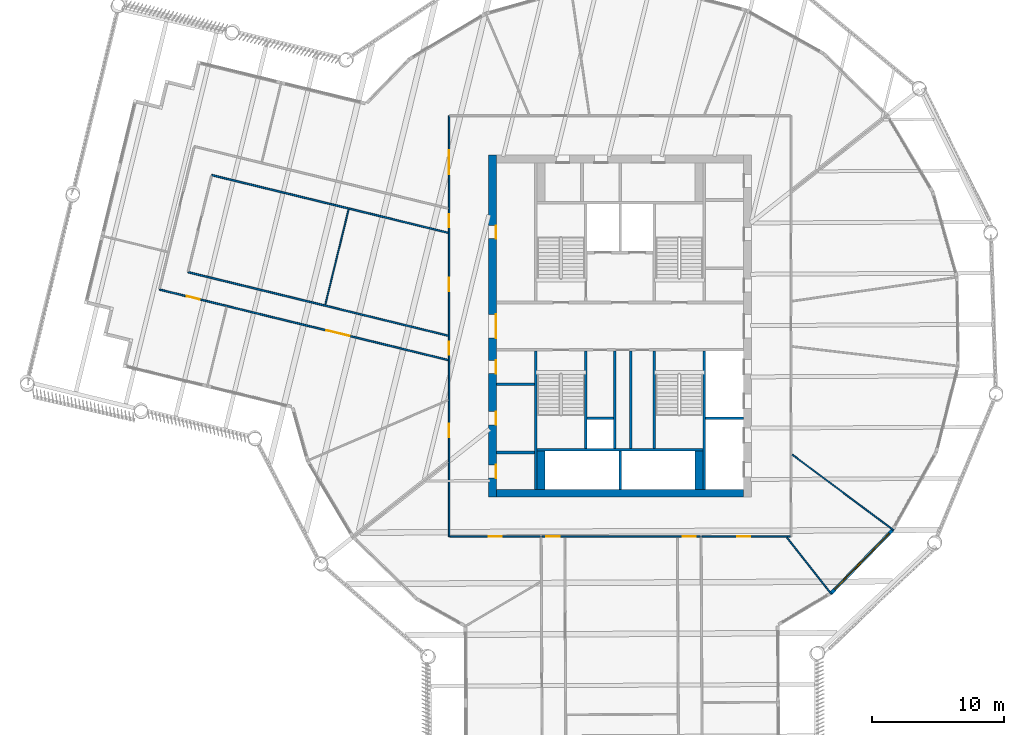
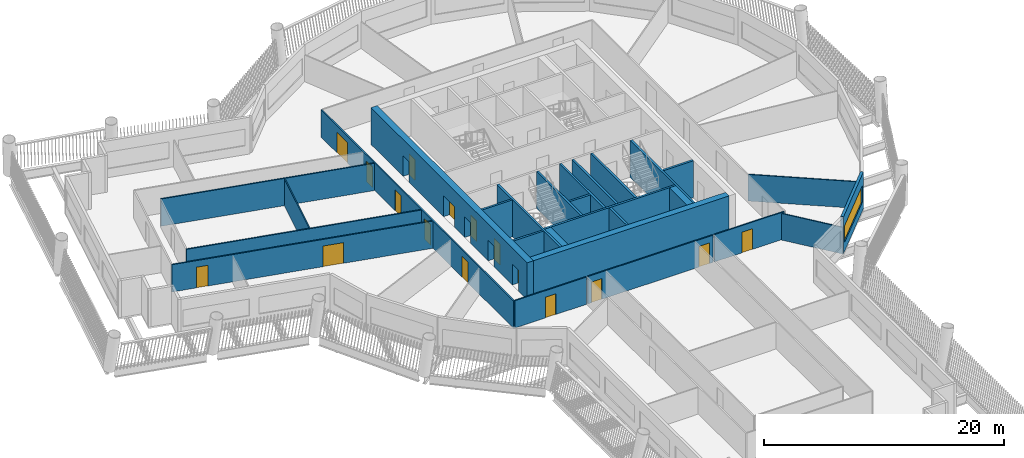
# One storey, part 4 of 15: 27 walls, 16 doors, 1 window, 17 openings.
"""IFC4 building model written with IfcOpenShell, lengths in metres."""

from ifc_helpers import new_model, si_unit, direction, frame, frame_2d, origin, place, context, subcontext, project, spatial, rectangle, extrude, material, layer, layer_set, type_object, element, fill, save


model = new_model("IFC4")

# Units and contexts
model_context = context("Model", 3, precision=1e-05, world=origin(), true_north=direction((0.0, 1.0)))
body_context = subcontext(model_context, "Body", "Model", "MODEL_VIEW")
ifc_project = project(units=[si_unit("LENGTHUNIT", "METRE"), si_unit("AREAUNIT", "SQUARE_METRE"), si_unit("VOLUMEUNIT", "CUBIC_METRE"), si_unit("PLANEANGLEUNIT", "RADIAN"), si_unit("MASSUNIT", "GRAM", prefix="KILO")], contexts=[model_context])

# Site, building, storey
site_placement = place(None, origin())
site = spatial("IfcSite", under=ifc_project, at=site_placement, CompositionType="ELEMENT")
building_placement = place(site_placement, origin())
building = spatial("IfcBuilding", under=site, at=building_placement, Name="Tarsis Ring Headquarters", CompositionType="ELEMENT")
storey_placement = place(building_placement, frame((0.0, 0.0, 227.699951171875)))
storey = spatial("IfcBuildingStorey", under=building, at=storey_placement, Name="L53", CompositionType="ELEMENT", Elevation=227.699951171875)

# Walls
ifc_material_1 = material(Name="Blockwork", Category="masonry")
ifc_layer_1 = layer(ifc_material_1, 0.199951171875)
ifc_layer_set_1 = layer_set([ifc_layer_1], Name="Core blockwork wall 200")
wall_type_1 = type_object("IfcWallType", Name="Core blockwork wall 200", PredefinedType="PARTITIONING", material=ifc_layer_set_1)
for number, where, z_axis, x_axis, name in (
    (1, (-9.39990234375, -9.60009765625, 0.0), (0.0, 0.0, 1.0), (1.0, 0.0, 0.0), "Core partition WD1"),
    (2, (-9.39990234375, -4.39990234375, 0.0), (0.0, 0.0, 1.0), (1.0, 0.0, 0.0), "Core partition WD3"),
):
    element("IfcWall", number, at=place(storey_placement, frame(where, z_axis=z_axis, x_axis=x_axis)), inside=storey, type_object=wall_type_1, Name=name, PredefinedType="PARTITIONING", context=body_context, shape_type="SweptSolid", body=[
        extrude(rectangle(XDim=2.89990234375, YDim=0.199951171875, at=frame_2d((1.449951171875, 0.0))), origin(), (0.0, 0.0, 1.0), 3.739990234375),
    ])
wall_1_placement = place(storey_placement, frame((-2.5, -7.0, 0.0), z_axis=(0.0, 0.0, 1.0), x_axis=(1.0, 0.0, 0.0)))
element("IfcWall", 3, at=wall_1_placement, inside=storey, type_object=wall_type_1, Name="Core partition SP1", PredefinedType="PARTITIONING", context=body_context, shape_type="SweptSolid", body=[
    extrude(rectangle(XDim=2.0, YDim=0.199951171875, at=frame_2d((1.0, 0.0))), origin(), (0.0, 0.0, 1.0), 3.739990234375),
])
for number, where, z_axis, x_axis, name in (
    (4, (-0.39990234375, -9.300048828125, 0.0), (0.0, 0.0, 1.0), (0.0, 1.0, 0.0), "Core partition SV1"),
    (5, (0.800048828125, -9.300048828125, 0.0), (0.0, 0.0, 1.0), (0.0, 1.0, 0.0), "Core partition SV2"),
):
    element("IfcWall", number, at=place(storey_placement, frame(where, z_axis=z_axis, x_axis=x_axis)), inside=storey, type_object=wall_type_1, Name=name, PredefinedType="PARTITIONING", context=body_context, shape_type="SweptSolid", body=[
        extrude(rectangle(XDim=7.400146484375, YDim=0.199951171875, at=frame_2d((3.7001953125, 0.0))), origin(), (0.0, 0.0, 1.0), 3.739990234375),
    ])

# Wall, openings, doors
ifc_material_2 = material(Name="Concrete C50/60", Category="concrete")
ifc_layer_2 = layer(ifc_material_2, 0.60009765625)
ifc_layer_set_2 = layer_set([ifc_layer_2], Name="Core wall 600 C50/60")
wall_type_2 = type_object("IfcWallType", Name="Core wall 600 C50/60", PredefinedType="SHEAR", material=ifc_layer_set_2)
wall_2_placement = place(storey_placement, frame((-9.699951171875, -13.0, 0.0), z_axis=(0.0, 0.0, 1.0), x_axis=(0.0, 1.0, 0.0)))
wall_2 = element("IfcWall", 6, at=wall_2_placement, inside=storey, type_object=wall_type_2, Name="Core wall OW", PredefinedType="SHEAR", context=body_context, shape_type="SweptSolid", body=[
    extrude(rectangle(XDim=26.0, YDim=0.60009765625, at=frame_2d((13.0, 0.0))), origin(), (0.0, 0.0, 1.0), 3.739990234375),
])
opening_1_placement = place(wall_2_placement, frame((1.449951171875, 0.0, 0.0)))
opening_1 = element("IfcOpeningElement", 7, at=opening_1_placement, cuts=wall_2, Name="Opening L53-C01", PredefinedType="OPENING", context=body_context, shape_type="SweptSolid", body=[
    extrude(rectangle(XDim=1.0, YDim=2.10009765625, at=frame_2d((0.5, 1.050048828125))), frame((0.0, 0.31005859375, 0.0), z_axis=(0.0, -1.0, 0.0), x_axis=(1.0, 0.0, 0.0)), (0.0, 0.0, 1.0), 0.6201171875),
])
opening_2_placement = place(wall_2_placement, frame((5.5, 0.0, 0.0)))
opening_2 = element("IfcOpeningElement", 8, at=opening_2_placement, cuts=wall_2, Name="Opening L53-C02", PredefinedType="OPENING", context=body_context, shape_type="SweptSolid", body=[
    extrude(rectangle(XDim=1.0, YDim=2.10009765625, at=frame_2d((0.5, 1.050048828125))), frame((0.0, 0.31005859375, 0.0), z_axis=(0.0, -1.0, 0.0), x_axis=(1.0, 0.0, 0.0)), (0.0, 0.0, 1.0), 0.6201171875),
])
opening_3_placement = place(wall_2_placement, frame((9.39990234375, 0.0, 0.0)))
opening_3 = element("IfcOpeningElement", 9, at=opening_3_placement, cuts=wall_2, Name="Opening L53-C03", PredefinedType="OPENING", context=body_context, shape_type="SweptSolid", body=[
    extrude(rectangle(XDim=1.0, YDim=2.10009765625, at=frame_2d((0.5, 1.050048828125))), frame((0.0, 0.31005859375, 0.0), z_axis=(0.0, -1.0, 0.0), x_axis=(1.0, 0.0, 0.0)), (0.0, 0.0, 1.0), 0.6201171875),
])
opening_4_placement = place(wall_2_placement, frame((12.10009765625, 0.0, 0.0)))
opening_4 = element("IfcOpeningElement", 10, at=opening_4_placement, cuts=wall_2, Name="Opening L53-C04", PredefinedType="OPENING", context=body_context, shape_type="SweptSolid", body=[
    extrude(rectangle(XDim=1.800048828125, YDim=2.10009765625, at=frame_2d((0.89990234375, 1.050048828125))), frame((0.0, 0.31005859375, 0.0), z_axis=(0.0, -1.0, 0.0), x_axis=(1.0, 0.0, 0.0)), (0.0, 0.0, 1.0), 0.6201171875),
])
opening_5_placement = place(wall_2_placement, frame((19.64990234375, 0.0, 0.0)))
opening_5 = element("IfcOpeningElement", 11, at=opening_5_placement, cuts=wall_2, Name="Opening L53-C05", PredefinedType="OPENING", context=body_context, shape_type="SweptSolid", body=[
    extrude(rectangle(XDim=1.0, YDim=2.10009765625, at=frame_2d((0.5, 1.050048828125))), frame((0.0, 0.31005859375, 0.0), z_axis=(0.0, -1.0, 0.0), x_axis=(1.0, 0.0, 0.0)), (0.0, 0.0, 1.0), 0.6201171875),
])
ifc_material_3 = material(Name="Steel S355", Category="steel")
door_type_1 = type_object("IfcDoorType", Name="Core entry door 1800x2100", OperationType="DOUBLE_DOOR_SINGLE_SWING", PredefinedType="DOOR", material=ifc_material_3)
door_1_placement = place(opening_4_placement, origin())
door_1 = element("IfcDoor", 12, at=door_1_placement, inside=storey, type_object=door_type_1, Name="Core entry door L53", OperationType="DOUBLE_DOOR_SINGLE_SWING", OverallHeight=2.10009765625, OverallWidth=1.800048828125, PredefinedType="DOOR", context=body_context, shape_type="SweptSolid", body=[
    extrude(rectangle(XDim=1.800048828125, YDim=2.10009765625, at=frame_2d((0.89990234375, 1.050048828125))), frame((0.0, -0.25, 0.0), z_axis=(0.0, -1.0, 0.0), x_axis=(1.0, 0.0, 0.0)), (0.0, 0.0, 1.0), 0.050048828125),
])
fill(opening_4, door_1)
door_type_2 = type_object("IfcDoorType", Name="Core room door 1000x2100", OperationType="SINGLE_SWING_LEFT", PredefinedType="DOOR", material=ifc_material_3)
door_2_placement = place(opening_1_placement, origin())
door_2 = element("IfcDoor", 13, at=door_2_placement, inside=storey, type_object=door_type_2, Name="Core room door L53", OperationType="SINGLE_SWING_LEFT", OverallHeight=2.10009765625, OverallWidth=1.0, PredefinedType="DOOR", context=body_context, shape_type="SweptSolid", body=[
    extrude(rectangle(XDim=1.0, YDim=2.10009765625, at=frame_2d((0.5, 1.050048828125))), frame((0.0, -0.25, 0.0), z_axis=(0.0, -1.0, 0.0), x_axis=(1.0, 0.0, 0.0)), (0.0, 0.0, 1.0), 0.050048828125),
])
fill(opening_1, door_2)
door_3_placement = place(opening_2_placement, origin())
door_3 = element("IfcDoor", 14, at=door_3_placement, inside=storey, type_object=door_type_2, Name="Core room door L53", OperationType="SINGLE_SWING_LEFT", OverallHeight=2.10009765625, OverallWidth=1.0, PredefinedType="DOOR", context=body_context, shape_type="SweptSolid", body=[
    extrude(rectangle(XDim=1.0, YDim=2.10009765625, at=frame_2d((0.5, 1.050048828125))), frame((0.0, -0.25, 0.0), z_axis=(0.0, -1.0, 0.0), x_axis=(1.0, 0.0, 0.0)), (0.0, 0.0, 1.0), 0.050048828125),
])
fill(opening_2, door_3)
door_4_placement = place(opening_3_placement, origin())
door_4 = element("IfcDoor", 15, at=door_4_placement, inside=storey, type_object=door_type_2, Name="Core room door L53", OperationType="SINGLE_SWING_LEFT", OverallHeight=2.10009765625, OverallWidth=1.0, PredefinedType="DOOR", context=body_context, shape_type="SweptSolid", body=[
    extrude(rectangle(XDim=1.0, YDim=2.10009765625, at=frame_2d((0.5, 1.050048828125))), frame((0.0, -0.25, 0.0), z_axis=(0.0, -1.0, 0.0), x_axis=(1.0, 0.0, 0.0)), (0.0, 0.0, 1.0), 0.050048828125),
])
fill(opening_3, door_4)
door_5_placement = place(opening_5_placement, origin())
door_5 = element("IfcDoor", 16, at=door_5_placement, inside=storey, type_object=door_type_2, Name="Core room door L53", OperationType="SINGLE_SWING_LEFT", OverallHeight=2.10009765625, OverallWidth=1.0, PredefinedType="DOOR", context=body_context, shape_type="SweptSolid", body=[
    extrude(rectangle(XDim=1.0, YDim=2.10009765625, at=frame_2d((0.5, 1.050048828125))), frame((0.0, -0.25, 0.0), z_axis=(0.0, -1.0, 0.0), x_axis=(1.0, 0.0, 0.0)), (0.0, 0.0, 1.0), 0.050048828125),
])
fill(opening_5, door_5)

# Walls
wall_3_placement = place(storey_placement, frame((-9.39990234375, -12.699951171875, 0.0), z_axis=(0.0, 0.0, 1.0), x_axis=(1.0, 0.0, 0.0)))
element("IfcWall", 17, at=wall_3_placement, inside=storey, type_object=wall_type_2, Name="Core wall OS", PredefinedType="SHEAR", context=body_context, shape_type="SweptSolid", body=[
    extrude(rectangle(XDim=18.7998046875, YDim=0.60009765625, at=frame_2d((9.39990234375, 0.0))), origin(), (0.0, 0.0, 1.0), 3.739990234375),
])
ifc_material_4 = material(Name="Gypsum board on steel studs", Category="steel")
ifc_layer_3 = layer(ifc_material_4, 0.10009765625)
ifc_layer_set_3 = layer_set([ifc_layer_3], Name="FL partition 100 unrated")
wall_type_3 = type_object("IfcWallType", Name="FL partition 100 unrated", PredefinedType="PARTITIONING", material=ifc_layer_set_3)
wall_4_placement = place(storey_placement, frame((13.080078125, -9.7568359375, 0.0), z_axis=(0.0, 0.0, 1.0), x_axis=(0.80156713252, -0.597904785116, 0.0)))
element("IfcWall", 18, at=wall_4_placement, inside=storey, type_object=wall_type_3, Name="Partition PW3", PredefinedType="PARTITIONING", context=body_context, shape_type="SweptSolid", body=[
    extrude(rectangle(XDim=9.629638671875, YDim=0.10009765625, at=frame_2d((4.81494140625, 0.0))), origin(), (0.0, 0.0, 1.0), 2.699951171875),
])
wall_5_placement = place(storey_placement, frame((-22.412353515625, 1.63232421875, 0.0), z_axis=(0.0, 0.0, 1.0), x_axis=(0.237172400226, 0.971467576696, 0.0)))
element("IfcWall", 19, at=wall_5_placement, inside=storey, type_object=wall_type_3, Name="Partition PW3", PredefinedType="PARTITIONING", context=body_context, shape_type="SweptSolid", body=[
    extrude(rectangle(XDim=7.4599609375, YDim=0.10009765625, at=frame_2d((3.72998046875, 0.0))), origin(), (0.0, 0.0, 1.0), 2.699951171875),
])
wall_6_placement = place(storey_placement, frame((12.695068359375, -16.086181640625, 0.0), z_axis=(0.0, 0.0, 1.0), x_axis=(0.619480317395, -0.785012188669, 0.0)))
element("IfcWall", 20, at=wall_6_placement, inside=storey, type_object=wall_type_3, Name="Partition PW3", PredefinedType="PARTITIONING", context=body_context, shape_type="SweptSolid", body=[
    extrude(rectangle(XDim=5.45556640625, YDim=0.10009765625, at=frame_2d((2.727783203125, 0.0))), origin(), (0.0, 0.0, 1.0), 2.699951171875),
])

# Wall, openings, doors
ifc_layer_4 = layer(ifc_material_4, 0.125)
ifc_layer_set_4 = layer_set([ifc_layer_4], Name="FL partition 125 EI 60 H2770")
wall_type_4 = type_object("IfcWallType", Name="FL partition 125 EI 60 H2770", PredefinedType="PARTITIONING", material=ifc_layer_set_4)
wall_7_placement = place(storey_placement, frame((-13.0, -16.0, 0.0), z_axis=(0.0, 0.0, 1.0), x_axis=(0.0, 1.0, 0.0)))
wall_7 = element("IfcWall", 21, at=wall_7_placement, inside=storey, type_object=wall_type_4, Name="Partition PW1", PredefinedType="PARTITIONING", context=body_context, shape_type="SweptSolid", body=[
    extrude(rectangle(XDim=32.0, YDim=0.125, at=frame_2d((16.0, 0.0))), origin(), (0.0, 0.0, 1.0), 2.77001953125),
])
opening_6_placement = place(wall_7_placement, frame((27.569091796875, 0.0, 0.0)))
opening_6 = element("IfcOpeningElement", 22, at=opening_6_placement, cuts=wall_7, Name="Opening D53.03", PredefinedType="OPENING", context=body_context, shape_type="SweptSolid", body=[
    extrude(rectangle(XDim=1.800048828125, YDim=2.10009765625, at=frame_2d((0.89990234375, 1.050048828125))), frame((0.0, 0.072509765625, 0.0), z_axis=(0.0, -1.0, 0.0), x_axis=(1.0, 0.0, 0.0)), (0.0, 0.0, 1.0), 0.14501953125),
])
opening_7_placement = place(wall_7_placement, frame((7.573486328125, 0.0, 0.0)))
opening_7 = element("IfcOpeningElement", 23, at=opening_7_placement, cuts=wall_7, Name="Opening D53.14", PredefinedType="OPENING", context=body_context, shape_type="SweptSolid", body=[
    extrude(rectangle(XDim=1.0, YDim=2.10009765625, at=frame_2d((0.5, 1.050048828125))), frame((0.0, 0.072509765625, 0.0), z_axis=(0.0, -1.0, 0.0), x_axis=(1.0, 0.0, 0.0)), (0.0, 0.0, 1.0), 0.14501953125),
])
opening_8_placement = place(wall_7_placement, frame((18.673828125, 0.0, 0.0)))
opening_8 = element("IfcOpeningElement", 24, at=opening_8_placement, cuts=wall_7, Name="Opening D53.16", PredefinedType="OPENING", context=body_context, shape_type="SweptSolid", body=[
    extrude(rectangle(XDim=1.0, YDim=2.10009765625, at=frame_2d((0.5, 1.050048828125))), frame((0.0, 0.072509765625, 0.0), z_axis=(0.0, -1.0, 0.0), x_axis=(1.0, 0.0, 0.0)), (0.0, 0.0, 1.0), 0.14501953125),
])
opening_9_placement = place(wall_7_placement, frame((13.835693359375, 0.0, 0.0)))
opening_9 = element("IfcOpeningElement", 25, at=opening_9_placement, cuts=wall_7, Name="Opening D53.22", PredefinedType="OPENING", context=body_context, shape_type="SweptSolid", body=[
    extrude(rectangle(XDim=1.0, YDim=2.10009765625, at=frame_2d((0.5, 1.050048828125))), frame((0.0, 0.072509765625, 0.0), z_axis=(0.0, -1.0, 0.0), x_axis=(1.0, 0.0, 0.0)), (0.0, 0.0, 1.0), 0.14501953125),
])
opening_10_placement = place(wall_7_placement, frame((23.511962890625, 0.0, 0.0)))
opening_10 = element("IfcOpeningElement", 26, at=opening_10_placement, cuts=wall_7, Name="Opening D53.23", PredefinedType="OPENING", context=body_context, shape_type="SweptSolid", body=[
    extrude(rectangle(XDim=1.0, YDim=2.10009765625, at=frame_2d((0.5, 1.050048828125))), frame((0.0, 0.072509765625, 0.0), z_axis=(0.0, -1.0, 0.0), x_axis=(1.0, 0.0, 0.0)), (0.0, 0.0, 1.0), 0.14501953125),
])
ifc_material_5 = material(Name="Fire-rated timber door leaf in steel frame", Category="steel")
door_type_3 = type_object("IfcDoorType", Name="FL door FD60-1000", OperationType="NOTDEFINED", PredefinedType="DOOR", material=ifc_material_5)
door_6_placement = place(opening_7_placement, origin())
door_6 = element("IfcDoor", 27, at=door_6_placement, inside=storey, type_object=door_type_3, Name="Door D53.14", OperationType="SINGLE_SWING_LEFT", OverallHeight=2.10009765625, OverallWidth=1.0, PredefinedType="DOOR", context=body_context, shape_type="SweptSolid", body=[
    extrude(rectangle(XDim=1.0, YDim=2.10009765625, at=frame_2d((0.5, 1.050048828125))), frame((0.0, 0.02490234375, 0.0), z_axis=(0.0, -1.0, 0.0), x_axis=(1.0, 0.0, 0.0)), (0.0, 0.0, 1.0), 0.050048828125),
])
fill(opening_7, door_6)
door_7_placement = place(opening_8_placement, origin())
door_7 = element("IfcDoor", 28, at=door_7_placement, inside=storey, type_object=door_type_3, Name="Door D53.16", OperationType="SINGLE_SWING_LEFT", OverallHeight=2.10009765625, OverallWidth=1.0, PredefinedType="DOOR", context=body_context, shape_type="SweptSolid", body=[
    extrude(rectangle(XDim=1.0, YDim=2.10009765625, at=frame_2d((0.5, 1.050048828125))), frame((0.0, 0.02490234375, 0.0), z_axis=(0.0, -1.0, 0.0), x_axis=(1.0, 0.0, 0.0)), (0.0, 0.0, 1.0), 0.050048828125),
])
fill(opening_8, door_7)
door_8_placement = place(opening_9_placement, origin())
door_8 = element("IfcDoor", 29, at=door_8_placement, inside=storey, type_object=door_type_3, Name="Door D53.22", OperationType="SINGLE_SWING_LEFT", OverallHeight=2.10009765625, OverallWidth=1.0, PredefinedType="DOOR", context=body_context, shape_type="SweptSolid", body=[
    extrude(rectangle(XDim=1.0, YDim=2.10009765625, at=frame_2d((0.5, 1.050048828125))), frame((0.0, 0.02490234375, 0.0), z_axis=(0.0, -1.0, 0.0), x_axis=(1.0, 0.0, 0.0)), (0.0, 0.0, 1.0), 0.050048828125),
])
fill(opening_9, door_8)
door_9_placement = place(opening_10_placement, origin())
door_9 = element("IfcDoor", 30, at=door_9_placement, inside=storey, type_object=door_type_3, Name="Door D53.23", OperationType="SINGLE_SWING_RIGHT", OverallHeight=2.10009765625, OverallWidth=1.0, PredefinedType="DOOR", context=body_context, shape_type="SweptSolid", body=[
    extrude(rectangle(XDim=1.0, YDim=2.10009765625, at=frame_2d((0.5, 1.050048828125))), frame((0.0, 0.02490234375, 0.0), z_axis=(0.0, -1.0, 0.0), x_axis=(1.0, 0.0, 0.0)), (0.0, 0.0, 1.0), 0.050048828125),
])
fill(opening_10, door_9)
door_type_4 = type_object("IfcDoorType", Name="FL door FD60-1800", OperationType="DOUBLE_DOOR_SINGLE_SWING", PredefinedType="DOOR", material=ifc_material_5)
door_10_placement = place(opening_6_placement, origin())
door_10 = element("IfcDoor", 31, at=door_10_placement, inside=storey, type_object=door_type_4, Name="Door D53.03", OperationType="DOUBLE_DOOR_SINGLE_SWING", OverallHeight=2.10009765625, OverallWidth=1.800048828125, PredefinedType="DOOR", context=body_context, shape_type="SweptSolid", body=[
    extrude(rectangle(XDim=1.800048828125, YDim=2.10009765625, at=frame_2d((0.89990234375, 1.050048828125))), frame((0.0, 0.02490234375, 0.0), z_axis=(0.0, -1.0, 0.0), x_axis=(1.0, 0.0, 0.0)), (0.0, 0.0, 1.0), 0.050048828125),
])
fill(opening_6, door_10)

# Wall, opening, door
wall_8_placement = place(storey_placement, frame((-12.93994140625, -16.0, 0.0), z_axis=(0.0, 0.0, 1.0), x_axis=(1.0, 0.0, 0.0)))
wall_8 = element("IfcWall", 32, at=wall_8_placement, inside=storey, type_object=wall_type_4, Name="Partition PW1", PredefinedType="PARTITIONING", context=body_context, shape_type="SweptSolid", body=[
    extrude(rectangle(XDim=6.87548828125, YDim=0.125, at=frame_2d((3.437744140625, 0.0))), origin(), (0.0, 0.0, 1.0), 2.77001953125),
])
opening_11_placement = place(wall_8_placement, frame((2.939208984375, 0.0, 0.0)))
opening_11 = element("IfcOpeningElement", 33, at=opening_11_placement, cuts=wall_8, Name="Opening D53.13", PredefinedType="OPENING", context=body_context, shape_type="SweptSolid", body=[
    extrude(rectangle(XDim=1.0, YDim=2.10009765625, at=frame_2d((0.5, 1.050048828125))), frame((0.0, 0.072509765625, 0.0), z_axis=(0.0, -1.0, 0.0), x_axis=(1.0, 0.0, 0.0)), (0.0, 0.0, 1.0), 0.14501953125),
])
door_11_placement = place(opening_11_placement, origin())
door_11 = element("IfcDoor", 34, at=door_11_placement, inside=storey, type_object=door_type_3, Name="Door D53.13", OperationType="SINGLE_SWING_RIGHT", OverallHeight=2.10009765625, OverallWidth=1.0, PredefinedType="DOOR", context=body_context, shape_type="SweptSolid", body=[
    extrude(rectangle(XDim=1.0, YDim=2.10009765625, at=frame_2d((0.5, 1.050048828125))), frame((0.0, 0.02490234375, 0.0), z_axis=(0.0, -1.0, 0.0), x_axis=(1.0, 0.0, 0.0)), (0.0, 0.0, 1.0), 0.050048828125),
])
fill(opening_11, door_11)

# Wall, openings, doors
wall_9_placement = place(storey_placement, frame((-5.939208984375, -16.0, 0.0), z_axis=(0.0, 0.0, 1.0), x_axis=(1.0, 0.0, 0.0)))
wall_9 = element("IfcWall", 35, at=wall_9_placement, inside=storey, type_object=wall_type_4, Name="Partition PW1", PredefinedType="PARTITIONING", context=body_context, shape_type="SweptSolid", body=[
    extrude(rectangle(XDim=12.034912109375, YDim=0.125, at=frame_2d((6.017578125, 0.0))), origin(), (0.0, 0.0, 1.0), 2.77001953125),
])
opening_12_placement = place(wall_9_placement, frame((0.337158203125, 0.0, 0.0)))
opening_12 = element("IfcOpeningElement", 36, at=opening_12_placement, cuts=wall_9, Name="Opening D53.20", PredefinedType="OPENING", context=body_context, shape_type="SweptSolid", body=[
    extrude(rectangle(XDim=1.0, YDim=2.10009765625, at=frame_2d((0.5, 1.050048828125))), frame((0.0, 0.072509765625, 0.0), z_axis=(0.0, -1.0, 0.0), x_axis=(1.0, 0.0, 0.0)), (0.0, 0.0, 1.0), 0.14501953125),
])
opening_13_placement = place(wall_9_placement, frame((10.697265625, 0.0, 0.0)))
opening_13 = element("IfcOpeningElement", 37, at=opening_13_placement, cuts=wall_9, Name="Opening D53.21", PredefinedType="OPENING", context=body_context, shape_type="SweptSolid", body=[
    extrude(rectangle(XDim=1.0, YDim=2.10009765625, at=frame_2d((0.5, 1.050048828125))), frame((0.0, 0.072509765625, 0.0), z_axis=(0.0, -1.0, 0.0), x_axis=(1.0, 0.0, 0.0)), (0.0, 0.0, 1.0), 0.14501953125),
])
door_12_placement = place(opening_12_placement, origin())
door_12 = element("IfcDoor", 38, at=door_12_placement, inside=storey, type_object=door_type_3, Name="Door D53.20", OperationType="SINGLE_SWING_LEFT", OverallHeight=2.10009765625, OverallWidth=1.0, PredefinedType="DOOR", context=body_context, shape_type="SweptSolid", body=[
    extrude(rectangle(XDim=1.0, YDim=2.10009765625, at=frame_2d((0.5, 1.050048828125))), frame((0.0, 0.02490234375, 0.0), z_axis=(0.0, -1.0, 0.0), x_axis=(1.0, 0.0, 0.0)), (0.0, 0.0, 1.0), 0.050048828125),
])
fill(opening_12, door_12)
door_13_placement = place(opening_13_placement, origin())
door_13 = element("IfcDoor", 39, at=door_13_placement, inside=storey, type_object=door_type_3, Name="Door D53.21", OperationType="SINGLE_SWING_RIGHT", OverallHeight=2.10009765625, OverallWidth=1.0, PredefinedType="DOOR", context=body_context, shape_type="SweptSolid", body=[
    extrude(rectangle(XDim=1.0, YDim=2.10009765625, at=frame_2d((0.5, 1.050048828125))), frame((0.0, 0.02490234375, 0.0), z_axis=(0.0, -1.0, 0.0), x_axis=(1.0, 0.0, 0.0)), (0.0, 0.0, 1.0), 0.050048828125),
])
fill(opening_13, door_13)

# Wall, opening, door
wall_10_placement = place(storey_placement, frame((6.22119140625, -16.0, 0.0), z_axis=(0.0, 0.0, 1.0), x_axis=(1.0, 0.0, 0.0)))
wall_10 = element("IfcWall", 40, at=wall_10_placement, inside=storey, type_object=wall_type_4, Name="Partition PW1", PredefinedType="PARTITIONING", context=body_context, shape_type="SweptSolid", body=[
    extrude(rectangle(XDim=6.71875, YDim=0.125, at=frame_2d((3.359375, 0.0))), origin(), (0.0, 0.0, 1.0), 2.77001953125),
])
opening_14_placement = place(wall_10_placement, frame((2.67138671875, 0.0, 0.0)))
opening_14 = element("IfcOpeningElement", 41, at=opening_14_placement, cuts=wall_10, Name="Opening D53.11", PredefinedType="OPENING", context=body_context, shape_type="SweptSolid", body=[
    extrude(rectangle(XDim=1.0, YDim=2.10009765625, at=frame_2d((0.5, 1.050048828125))), frame((0.0, 0.072509765625, 0.0), z_axis=(0.0, -1.0, 0.0), x_axis=(1.0, 0.0, 0.0)), (0.0, 0.0, 1.0), 0.14501953125),
])
door_14_placement = place(opening_14_placement, origin())
door_14 = element("IfcDoor", 42, at=door_14_placement, inside=storey, type_object=door_type_3, Name="Door D53.11", OperationType="SINGLE_SWING_RIGHT", OverallHeight=2.10009765625, OverallWidth=1.0, PredefinedType="DOOR", context=body_context, shape_type="SweptSolid", body=[
    extrude(rectangle(XDim=1.0, YDim=2.10009765625, at=frame_2d((0.5, 1.050048828125))), frame((0.0, 0.02490234375, 0.0), z_axis=(0.0, -1.0, 0.0), x_axis=(1.0, 0.0, 0.0)), (0.0, 0.0, 1.0), 0.050048828125),
])
fill(opening_14, door_14)

# Wall, openings, doors
wall_11_placement = place(storey_placement, frame((-35.0283203125, 2.78759765625, 0.0), z_axis=(0.0, 0.0, 1.0), x_axis=(0.971465068356, -0.237182674251, 0.0)))
wall_11 = element("IfcWall", 43, at=wall_11_placement, inside=storey, type_object=wall_type_4, Name="Partition PW1", PredefinedType="PARTITIONING", context=body_context, shape_type="SweptSolid", body=[
    extrude(rectangle(XDim=22.605224609375, YDim=0.125, at=frame_2d((11.302734375, 0.0))), origin(), (0.0, 0.0, 1.0), 2.77001953125),
])
opening_15_placement = place(wall_11_placement, frame((2.137939453125, 0.0, 0.0)))
opening_15 = element("IfcOpeningElement", 44, at=opening_15_placement, cuts=wall_11, Name="Opening D53.01", PredefinedType="OPENING", context=body_context, shape_type="SweptSolid", body=[
    extrude(rectangle(XDim=1.0, YDim=2.10009765625, at=frame_2d((0.5, 1.050048828125))), frame((0.0, 0.072509765625, 0.0), z_axis=(0.0, -1.0, 0.0), x_axis=(1.0, 0.0, 0.0)), (0.0, 0.0, 1.0), 0.14501953125),
])
opening_16_placement = place(wall_11_placement, frame((13.07568359375, 0.0, 0.0)))
opening_16 = element("IfcOpeningElement", 45, at=opening_16_placement, cuts=wall_11, Name="Opening D53.15", PredefinedType="OPENING", context=body_context, shape_type="SweptSolid", body=[
    extrude(rectangle(XDim=1.800048828125, YDim=2.10009765625, at=frame_2d((0.89990234375, 1.050048828125))), frame((0.0, 0.072509765625, 0.0), z_axis=(0.0, -1.0, 0.0), x_axis=(1.0, 0.0, 0.0)), (0.0, 0.0, 1.0), 0.14501953125),
])
door_15_placement = place(opening_15_placement, origin())
door_15 = element("IfcDoor", 46, at=door_15_placement, inside=storey, type_object=door_type_3, Name="Door D53.01", OperationType="SINGLE_SWING_RIGHT", OverallHeight=2.10009765625, OverallWidth=1.0, PredefinedType="DOOR", context=body_context, shape_type="SweptSolid", body=[
    extrude(rectangle(XDim=1.0, YDim=2.10009765625, at=frame_2d((0.5, 1.050048828125))), frame((0.0, 0.02490234375, 0.0), z_axis=(0.0, -1.0, 0.0), x_axis=(1.0, 0.0, 0.0)), (0.0, 0.0, 1.0), 0.050048828125),
])
fill(opening_15, door_15)
door_16_placement = place(opening_16_placement, origin())
door_16 = element("IfcDoor", 47, at=door_16_placement, inside=storey, type_object=door_type_4, Name="Door D53.15", OperationType="DOUBLE_DOOR_SINGLE_SWING", OverallHeight=2.10009765625, OverallWidth=1.800048828125, PredefinedType="DOOR", context=body_context, shape_type="SweptSolid", body=[
    extrude(rectangle(XDim=1.800048828125, YDim=2.10009765625, at=frame_2d((0.89990234375, 1.050048828125))), frame((0.0, 0.02490234375, 0.0), z_axis=(0.0, -1.0, 0.0), x_axis=(1.0, 0.0, 0.0)), (0.0, 0.0, 1.0), 0.050048828125),
])
fill(opening_16, door_16)

# Walls
wall_12_placement = place(storey_placement, frame((-32.852783203125, 4.109130859375, 0.0), z_axis=(0.0, 0.0, 1.0), x_axis=(0.971466129403, -0.237178328318, 0.0)))
element("IfcWall", 48, at=wall_12_placement, inside=storey, type_object=wall_type_4, Name="Partition PW1", PredefinedType="PARTITIONING", context=body_context, shape_type="SweptSolid", body=[
    extrude(rectangle(XDim=20.36572265625, YDim=0.125, at=frame_2d((10.182861328125, 0.0))), origin(), (0.0, 0.0, 1.0), 2.77001953125),
])
wall_13_placement = place(storey_placement, frame((-31.05029296875, 11.4921875, 0.0), z_axis=(0.0, 0.0, 1.0), x_axis=(0.971467586626, -0.237172359551, 0.0)))
element("IfcWall", 49, at=wall_13_placement, inside=storey, type_object=wall_type_4, Name="Partition PW1", PredefinedType="PARTITIONING", context=body_context, shape_type="SweptSolid", body=[
    extrude(rectangle(XDim=18.51025390625, YDim=0.125, at=frame_2d((9.255126953125, 0.0))), origin(), (0.0, 0.0, 1.0), 2.77001953125),
])

# Wall, opening, window
ifc_material_6 = material(Name="Terracotta clad insulated panel wall", Category="masonry")
ifc_layer_5 = layer(ifc_material_6, 0.25)
ifc_layer_set_5 = layer_set([ifc_layer_5], Name="Facade wall terracotta panel 250")
wall_type_5 = type_object("IfcWallType", Name="Facade wall terracotta panel 250", PredefinedType="STANDARD", material=ifc_layer_set_5)
wall_14_placement = place(storey_placement, frame((16.04052734375, -20.299072265625, 0.0), z_axis=(0.0, 0.0, 1.0), x_axis=(0.69741597527, 0.716666559453, 0.0)))
wall_14 = element("IfcWall", 50, at=wall_14_placement, inside=storey, type_object=wall_type_5, Name="External wall L53-18", PredefinedType="STANDARD", context=body_context, shape_type="SweptSolid", body=[
    extrude(rectangle(XDim=6.7216796875, YDim=0.25, at=frame_2d((3.36083984375, 0.0))), origin(), (0.0, 0.0, 1.0), 3.739990234375),
])
opening_17_placement = place(wall_14_placement, frame((0.3857421875, 0.0, 0.89990234375)))
opening_17 = element("IfcOpeningElement", 51, at=opening_17_placement, cuts=wall_14, Name="Opening WN07", PredefinedType="OPENING", context=body_context, shape_type="SweptSolid", body=[
    extrude(rectangle(XDim=5.949951171875, YDim=1.699951171875, at=frame_2d((2.97509765625, 0.85009765625))), frame((0.0, 0.135009765625, 0.0), z_axis=(0.0, -1.0, 0.0), x_axis=(1.0, 0.0, 0.0)), (0.0, 0.0, 1.0), 0.27001953125),
])
ifc_material_7 = material(Name="Aluminium framed double glazing", Category="aluminium")
window_type = type_object("IfcWindowType", Name="Facade window 5950 x 1700", PartitioningType="SINGLE_PANEL", PredefinedType="WINDOW", material=ifc_material_7)
window_placement = place(opening_17_placement, origin())
window = element("IfcWindow", 52, at=window_placement, inside=storey, type_object=window_type, Name="Window L53-18.1", OverallHeight=1.699951171875, OverallWidth=5.949951171875, PartitioningType="SINGLE_PANEL", PredefinedType="WINDOW", context=body_context, shape_type="SweptSolid", body=[
    extrude(rectangle(XDim=5.949951171875, YDim=1.699951171875, at=frame_2d((2.97509765625, 0.85009765625))), frame((0.0, 0.030029296875, 0.0), z_axis=(0.0, -1.0, 0.0), x_axis=(1.0, 0.0, 0.0)), (0.0, 0.0, 1.0), 0.06005859375),
])
fill(opening_17, window)

# Walls
ifc_material_8 = material(Name="Concrete C32/40", Category="concrete")
ifc_layer_6 = layer(ifc_material_8, 0.60009765625)
ifc_layer_set_6 = layer_set([ifc_layer_6], Name="Shaft end wall 600 C32/40")
wall_type_6 = type_object("IfcWallType", Name="Shaft end wall 600 C32/40", PredefinedType="SOLIDWALL", material=ifc_layer_set_6)
for number, where, z_axis, x_axis, name in (
    (53, (-6.0, -12.39990234375, 0.0), (0.0, 0.0, 1.0), (0.0, 1.0, 0.0), "Core shaft wall SNE1"),
    (54, (6.0, -12.39990234375, 0.0), (0.0, 0.0, 1.0), (0.0, 1.0, 0.0), "Core shaft wall SNE2"),
):
    element("IfcWall", number, at=place(storey_placement, frame(where, z_axis=z_axis, x_axis=x_axis)), inside=storey, type_object=wall_type_6, Name=name, PredefinedType="SOLIDWALL", context=body_context, shape_type="SweptSolid", body=[
        extrude(rectangle(XDim=2.89990234375, YDim=0.60009765625, at=frame_2d((1.449951171875, 0.0))), origin(), (0.0, 0.0, 1.0), 3.739990234375),
    ])
ifc_layer_7 = layer(ifc_material_8, 0.199951171875)
ifc_layer_set_7 = layer_set([ifc_layer_7], Name="Shaft wall 200 C32/40")
wall_type_7 = type_object("IfcWallType", Name="Shaft wall 200 C32/40", PredefinedType="SOLIDWALL", material=ifc_layer_set_7)
for number, where, z_axis, x_axis, name in (
    (55, (-6.39990234375, -12.39990234375, 0.0), (0.0, 0.0, 1.0), (0.0, 1.0, 0.0), "Core shaft wall WB1"),
    (56, (6.39990234375, -12.39990234375, 0.0), (0.0, 0.0, 1.0), (0.0, 1.0, 0.0), "Core shaft wall EB1"),
):
    element("IfcWall", number, at=place(storey_placement, frame(where, z_axis=z_axis, x_axis=x_axis)), inside=storey, type_object=wall_type_7, Name=name, PredefinedType="SOLIDWALL", context=body_context, shape_type="SweptSolid", body=[
        extrude(rectangle(XDim=10.5, YDim=0.199951171875, at=frame_2d((5.25, 0.0))), origin(), (0.0, 0.0, 1.0), 3.739990234375),
    ])
wall_15_placement = place(storey_placement, frame((-6.300048828125, -9.39990234375, 0.0), z_axis=(0.0, 0.0, 1.0), x_axis=(1.0, 0.0, 0.0)))
element("IfcWall", 57, at=wall_15_placement, inside=storey, type_object=wall_type_7, Name="Core shaft wall SB", PredefinedType="SOLIDWALL", context=body_context, shape_type="SweptSolid", body=[
    extrude(rectangle(XDim=12.60009765625, YDim=0.199951171875, at=frame_2d((6.300048828125, 0.0))), origin(), (0.0, 0.0, 1.0), 3.739990234375),
])
for number, where, z_axis, x_axis, name in (
    (58, (-2.60009765625, -9.300048828125, 0.0), (0.0, 0.0, 1.0), (0.0, 1.0, 0.0), "Core shaft wall SW3"),
    (59, (2.60009765625, -9.300048828125, 0.0), (0.0, 0.0, 1.0), (0.0, 1.0, 0.0), "Core shaft wall SW4"),
):
    element("IfcWall", number, at=place(storey_placement, frame(where, z_axis=z_axis, x_axis=x_axis)), inside=storey, type_object=wall_type_7, Name=name, PredefinedType="SOLIDWALL", context=body_context, shape_type="SweptSolid", body=[
        extrude(rectangle(XDim=7.400146484375, YDim=0.199951171875, at=frame_2d((3.7001953125, 0.0))), origin(), (0.0, 0.0, 1.0), 3.739990234375),
    ])
for number, where, z_axis, x_axis, name in (
    (60, (6.5, -7.0, 0.0), (0.0, 0.0, 1.0), (1.0, 0.0, 0.0), "Core shaft wall ED2"),
    (61, (0.0, -12.39990234375, 0.0), (0.0, 0.0, 1.0), (0.0, 1.0, 0.0), "Core shaft wall SD2"),
):
    element("IfcWall", number, at=place(storey_placement, frame(where, z_axis=z_axis, x_axis=x_axis)), inside=storey, type_object=wall_type_7, Name=name, PredefinedType="SOLIDWALL", context=body_context, shape_type="SweptSolid", body=[
        extrude(rectangle(XDim=2.89990234375, YDim=0.199951171875, at=frame_2d((1.449951171875, 0.0))), origin(), (0.0, 0.0, 1.0), 3.739990234375),
    ])

save(model, "model.ifc")
